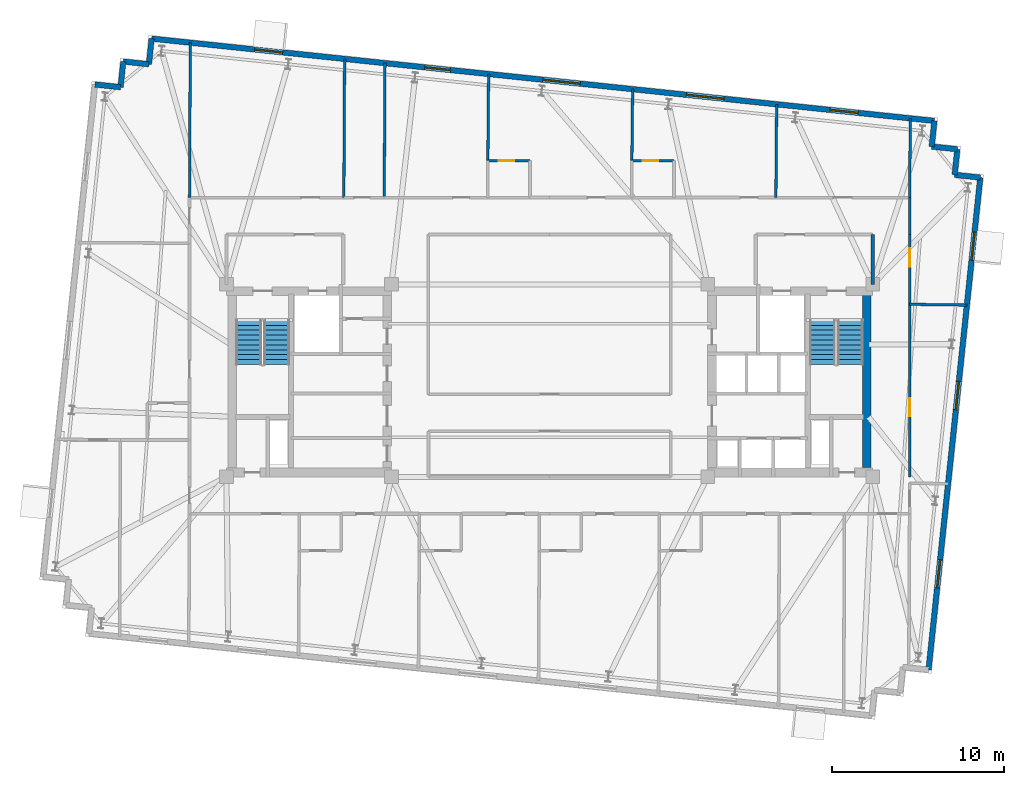
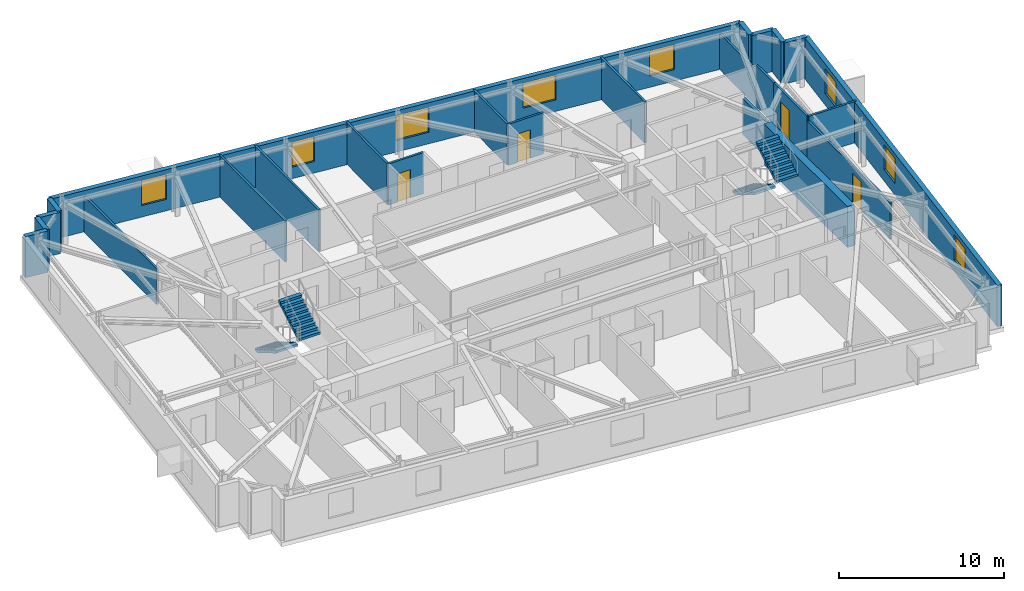
# One storey, part 9 of 11: 25 walls, 8 windows, 4 doors, 4 stair flights, 12 openings, 2 elements without a shape of their own.
"""IFC4 building model written with IfcOpenShell, lengths in metres."""

from ifc_helpers import new_model, si_unit, direction, frame, frame_2d, origin, place, context, subcontext, project, spatial, polyline, rectangle, outline, extrude, material, layer, layer_set, type_object, element, fill, aggregate, save


model = new_model("IFC4")

# Units and contexts
model_context = context("Model", 3, precision=1e-05, world=origin(), true_north=direction((0.0, 1.0)))
body_context = subcontext(model_context, "Body", "Model", "MODEL_VIEW")
ifc_project = project(units=[si_unit("LENGTHUNIT", "METRE"), si_unit("AREAUNIT", "SQUARE_METRE"), si_unit("VOLUMEUNIT", "CUBIC_METRE"), si_unit("PLANEANGLEUNIT", "RADIAN"), si_unit("MASSUNIT", "GRAM", prefix="KILO")], contexts=[model_context])

# Site, building, storey
site_placement = place(None, origin())
site = spatial("IfcSite", under=ifc_project, at=site_placement, CompositionType="ELEMENT")
building_placement = place(site_placement, origin())
building = spatial("IfcBuilding", under=site, at=building_placement, Name="Qobustan Lattice House", CompositionType="ELEMENT")
storey_placement = place(building_placement, frame((0.0, 0.0, 206.449951171875)))
storey = spatial("IfcBuildingStorey", under=building, at=storey_placement, Name="L58", CompositionType="ELEMENT", Elevation=206.449951171875)

# Walls
ifc_material_1 = material(Name="Concrete C50/60", Category="concrete")
ifc_layer_1 = layer(ifc_material_1, 0.5)
ifc_layer_set_1 = layer_set([ifc_layer_1], Name="Concrete C50/60")
wall_type_1 = type_object("IfcWallType", Name="WAL-CORE-500", PredefinedType="SHEAR", material=ifc_layer_set_1)
wall_1_placement = place(storey_placement, frame((18.4599609375, -5.050048828125, 0.0), z_axis=(0.0, 0.0, 1.0), x_axis=(0.0, 1.0, 0.0)))
element("IfcWall", 1, at=wall_1_placement, inside=storey, type_object=wall_type_1, Name="L58 split-core shear wall CE-E", PredefinedType="SHEAR", context=body_context, shape_type="SweptSolid", body=[
    extrude(rectangle(XDim=10.10009765625, YDim=0.5, at=frame_2d((5.050048828125, 0.0))), origin(), (0.0, 0.0, 1.0), 3.0400390625),
])
ifc_material_2 = material(Name="Precast concrete C40/50", Category="concrete")
ifc_layer_2 = layer(ifc_material_2, 0.320068359375)
ifc_layer_set_2 = layer_set([ifc_layer_2], Name="Precast concrete C40/50")
wall_type_2 = type_object("IfcWallType", Name="WAL-EXT-STONE-320", PredefinedType="SOLIDWALL", material=ifc_layer_set_2)
wall_2_placement = place(storey_placement, frame((-26.452880859375, 17.228515625, 0.0), z_axis=(0.0, 0.0, 1.0), x_axis=(0.994508128223, -0.104659366031, 0.0)))
element("IfcWall", 2, at=wall_2_placement, inside=storey, type_object=wall_type_2, Name="L58 exterior limestone-clad wall 6", PredefinedType="SOLIDWALL", context=body_context, shape_type="SweptSolid", body=[
    extrude(rectangle(XDim=1.5, YDim=0.320068359375, at=frame_2d((0.75, 0.0))), origin(), (0.0, 0.0, 1.0), 3.0400390625),
])
wall_3_placement = place(storey_placement, frame((-24.961181640625, 17.071533203125, 0.0), z_axis=(0.0, 0.0, 1.0), x_axis=(0.104642427191, 0.994509910675, 0.0)))
element("IfcWall", 3, at=wall_3_placement, inside=storey, type_object=wall_type_2, Name="L58 exterior limestone-clad wall 7", PredefinedType="SOLIDWALL", context=body_context, shape_type="SweptSolid", body=[
    extrude(rectangle(XDim=1.500244140625, YDim=0.320068359375, at=frame_2d((0.75, 0.0))), origin(), (0.0, 0.0, 1.0), 3.0400390625),
])
wall_4_placement = place(storey_placement, frame((-24.80419921875, 18.5634765625, 0.0), z_axis=(0.0, 0.0, 1.0), x_axis=(0.994508128223, -0.104659366031, 0.0)))
element("IfcWall", 4, at=wall_4_placement, inside=storey, type_object=wall_type_2, Name="L58 exterior limestone-clad wall 8", PredefinedType="SOLIDWALL", context=body_context, shape_type="SweptSolid", body=[
    extrude(rectangle(XDim=1.5, YDim=0.320068359375, at=frame_2d((0.75, 0.0))), origin(), (0.0, 0.0, 1.0), 3.0400390625),
])
wall_5_placement = place(storey_placement, frame((-23.3125, 18.406494140625, 0.0), z_axis=(0.0, 0.0, 1.0), x_axis=(0.104481464157, 0.994526834051, 0.0)))
element("IfcWall", 5, at=wall_5_placement, inside=storey, type_object=wall_type_2, Name="L58 exterior limestone-clad wall 9", PredefinedType="SOLIDWALL", context=body_context, shape_type="SweptSolid", body=[
    extrude(rectangle(XDim=1.500244140625, YDim=0.320068359375, at=frame_2d((0.75, 0.0))), origin(), (0.0, 0.0, 1.0), 3.0400390625),
])

# Wall, openings, windows
wall_6_placement = place(storey_placement, frame((-23.15576171875, 19.8984375, 0.0), z_axis=(0.0, 0.0, 1.0), x_axis=(0.994522001802, -0.104527450613, 0.0)))
wall_6 = element("IfcWall", 6, at=wall_6_placement, inside=storey, type_object=wall_type_2, Name="L58 exterior limestone-clad wall 10", PredefinedType="SOLIDWALL", context=body_context, shape_type="SweptSolid", body=[
    extrude(rectangle(XDim=45.800048828125, YDim=0.320068359375, at=frame_2d((22.89990234375, 0.0))), origin(), (0.0, 0.0, 1.0), 3.0400390625),
])
opening_1_placement = place(wall_6_placement, frame((6.02099609375, 0.0, 0.85009765625)))
opening_1 = element("IfcOpeningElement", 7, at=opening_1_placement, cuts=wall_6, Name="Opening WN-09", PredefinedType="OPENING", context=body_context, shape_type="SweptSolid", body=[
    extrude(rectangle(XDim=1.64990234375, YDim=1.85009765625, at=frame_2d((0.824951171875, 0.925048828125))), frame((0.0, 0.169921875, 0.0), z_axis=(0.0, -1.0, 0.0), x_axis=(1.0, 0.0, 0.0)), (0.0, 0.0, 1.0), 0.340087890625),
])
opening_2_placement = place(wall_6_placement, frame((15.984619140625, 0.0, 0.85009765625)))
opening_2 = element("IfcOpeningElement", 8, at=opening_2_placement, cuts=wall_6, Name="Opening WN-01", PredefinedType="OPENING", context=body_context, shape_type="SweptSolid", body=[
    extrude(rectangle(XDim=1.5, YDim=1.85009765625, at=frame_2d((0.75, 0.925048828125))), frame((0.0, 0.169921875, 0.0), z_axis=(0.0, -1.0, 0.0), x_axis=(1.0, 0.0, 0.0)), (0.0, 0.0, 1.0), 0.340087890625),
])
opening_3_placement = place(wall_6_placement, frame((22.881103515625, 0.0, 0.85009765625)))
opening_3 = element("IfcOpeningElement", 9, at=opening_3_placement, cuts=wall_6, Name="Opening WN-03", PredefinedType="OPENING", context=body_context, shape_type="SweptSolid", body=[
    extrude(rectangle(XDim=2.199951171875, YDim=1.85009765625, at=frame_2d((1.10009765625, 0.925048828125))), frame((0.0, 0.169921875, 0.0), z_axis=(0.0, -1.0, 0.0), x_axis=(1.0, 0.0, 0.0)), (0.0, 0.0, 1.0), 0.340087890625),
])
opening_4_placement = place(wall_6_placement, frame((31.288330078125, 0.0, 0.85009765625)))
opening_4 = element("IfcOpeningElement", 10, at=opening_4_placement, cuts=wall_6, Name="Opening WN-03", PredefinedType="OPENING", context=body_context, shape_type="SweptSolid", body=[
    extrude(rectangle(XDim=2.199951171875, YDim=1.85009765625, at=frame_2d((1.10009765625, 0.925048828125))), frame((0.0, 0.169921875, 0.0), z_axis=(0.0, -1.0, 0.0), x_axis=(1.0, 0.0, 0.0)), (0.0, 0.0, 1.0), 0.340087890625),
])
opening_5_placement = place(wall_6_placement, frame((39.6904296875, 0.0, 0.85009765625)))
opening_5 = element("IfcOpeningElement", 11, at=opening_5_placement, cuts=wall_6, Name="Opening WN-09", PredefinedType="OPENING", context=body_context, shape_type="SweptSolid", body=[
    extrude(rectangle(XDim=1.64990234375, YDim=1.85009765625, at=frame_2d((0.824951171875, 0.925048828125))), frame((0.0, 0.169921875, 0.0), z_axis=(0.0, -1.0, 0.0), x_axis=(1.0, 0.0, 0.0)), (0.0, 0.0, 1.0), 0.340087890625),
])
ifc_material_3 = material(Name="Double-glazed low-E aluminium window", Category="aluminium")
window_type_1 = type_object("IfcWindowType", Name="WIN-BED-1500x1850", PartitioningType="SINGLE_PANEL", PredefinedType="WINDOW", material=ifc_material_3)
window_1_placement = place(opening_2_placement, origin())
window_1 = element("IfcWindow", 12, at=window_1_placement, inside=storey, type_object=window_type_1, Name="L58 Laundry utility room window", OverallHeight=1.85009765625, OverallWidth=1.5, PartitioningType="SINGLE_PANEL", PredefinedType="WINDOW", context=body_context, shape_type="SweptSolid", body=[
    extrude(rectangle(XDim=1.5, YDim=1.85009765625, at=frame_2d((0.75, 0.925048828125))), frame((0.0, 0.030029296875, 0.0), z_axis=(0.0, -1.0, 0.0), x_axis=(1.0, 0.0, 0.0)), (0.0, 0.0, 1.0), 0.06005859375),
])
fill(opening_2, window_1)
ifc_material_4 = material(Name="Double-glazed low-E aluminium window", Category="aluminium")
window_type_2 = type_object("IfcWindowType", Name="WIN-STU-1650x1850", PartitioningType="SINGLE_PANEL", PredefinedType="WINDOW", material=ifc_material_4)
window_2_placement = place(opening_1_placement, origin())
window_2 = element("IfcWindow", 13, at=window_2_placement, inside=storey, type_object=window_type_2, Name="L58 Focus study room N1 window", OverallHeight=1.85009765625, OverallWidth=1.64990234375, PartitioningType="SINGLE_PANEL", PredefinedType="WINDOW", context=body_context, shape_type="SweptSolid", body=[
    extrude(rectangle(XDim=1.64990234375, YDim=1.85009765625, at=frame_2d((0.824951171875, 0.925048828125))), frame((0.0, 0.030029296875, 0.0), z_axis=(0.0, -1.0, 0.0), x_axis=(1.0, 0.0, 0.0)), (0.0, 0.0, 1.0), 0.06005859375),
])
fill(opening_1, window_2)
window_3_placement = place(opening_5_placement, origin())
window_3 = element("IfcWindow", 14, at=window_3_placement, inside=storey, type_object=window_type_2, Name="L58 Focus study room N5 window", OverallHeight=1.85009765625, OverallWidth=1.64990234375, PartitioningType="SINGLE_PANEL", PredefinedType="WINDOW", context=body_context, shape_type="SweptSolid", body=[
    extrude(rectangle(XDim=1.64990234375, YDim=1.85009765625, at=frame_2d((0.824951171875, 0.925048828125))), frame((0.0, 0.030029296875, 0.0), z_axis=(0.0, -1.0, 0.0), x_axis=(1.0, 0.0, 0.0)), (0.0, 0.0, 1.0), 0.06005859375),
])
fill(opening_5, window_3)
ifc_material_5 = material(Name="Double-glazed low-E aluminium window", Category="aluminium")
window_type_3 = type_object("IfcWindowType", Name="WIN-WIDE-2200x1850", PartitioningType="SINGLE_PANEL", PredefinedType="WINDOW", material=ifc_material_5)
window_4_placement = place(opening_3_placement, origin())
window_4 = element("IfcWindow", 15, at=window_4_placement, inside=storey, type_object=window_type_3, Name="L58 Kitchenette and studio apartment L58-N3 window", OverallHeight=1.85009765625, OverallWidth=2.199951171875, PartitioningType="SINGLE_PANEL", PredefinedType="WINDOW", context=body_context, shape_type="SweptSolid", body=[
    extrude(rectangle(XDim=2.199951171875, YDim=1.85009765625, at=frame_2d((1.10009765625, 0.925048828125))), frame((0.0, 0.030029296875, 0.0), z_axis=(0.0, -1.0, 0.0), x_axis=(1.0, 0.0, 0.0)), (0.0, 0.0, 1.0), 0.06005859375),
])
fill(opening_3, window_4)
window_5_placement = place(opening_4_placement, origin())
window_5 = element("IfcWindow", 16, at=window_5_placement, inside=storey, type_object=window_type_3, Name="L58 Kitchenette and studio apartment L58-N4 window", OverallHeight=1.85009765625, OverallWidth=2.199951171875, PartitioningType="SINGLE_PANEL", PredefinedType="WINDOW", context=body_context, shape_type="SweptSolid", body=[
    extrude(rectangle(XDim=2.199951171875, YDim=1.85009765625, at=frame_2d((1.10009765625, 0.925048828125))), frame((0.0, 0.030029296875, 0.0), z_axis=(0.0, -1.0, 0.0), x_axis=(1.0, 0.0, 0.0)), (0.0, 0.0, 1.0), 0.06005859375),
])
fill(opening_4, window_5)

# Walls
wall_7_placement = place(storey_placement, frame((22.393310546875, 15.111083984375, 0.0), z_axis=(0.0, 0.0, 1.0), x_axis=(-0.104481464157, -0.994526834051, 0.0)))
element("IfcWall", 17, at=wall_7_placement, inside=storey, type_object=wall_type_2, Name="L58 exterior limestone-clad wall 11", PredefinedType="SOLIDWALL", context=body_context, shape_type="SweptSolid", body=[
    extrude(rectangle(XDim=1.500244140625, YDim=0.320068359375, at=frame_2d((0.75, 0.0))), origin(), (0.0, 0.0, 1.0), 3.0400390625),
])
for number, where, z_axis, x_axis, name in (
    (18, (22.236572265625, 13.619140625, 0.0), (0.0, 0.0, 1.0), (0.994525057048, -0.104498377516, 0.0), "L58 exterior limestone-clad wall 12"),
    (19, (23.728271484375, 13.46240234375, 0.0), (0.0, 0.0, 1.0), (-0.104498377516, -0.994525057048, 0.0), "L58 exterior limestone-clad wall 13"),
    (20, (23.571533203125, 11.970703125, 0.0), (0.0, 0.0, 1.0), (0.994508128223, -0.104659366031, 0.0), "L58 exterior limestone-clad wall 14"),
):
    element("IfcWall", number, at=place(storey_placement, frame(where, z_axis=z_axis, x_axis=x_axis)), inside=storey, type_object=wall_type_2, Name=name, PredefinedType="SOLIDWALL", context=body_context, shape_type="SweptSolid", body=[
        extrude(rectangle(XDim=1.5, YDim=0.320068359375, at=frame_2d((0.75, 0.0))), origin(), (0.0, 0.0, 1.0), 3.0400390625),
    ])

# Wall, openings, windows
wall_8_placement = place(storey_placement, frame((25.063232421875, 11.813720703125, 0.0), z_axis=(0.0, 0.0, 1.0), x_axis=(-0.104523275986, -0.99452244056, 0.0)))
wall_8 = element("IfcWall", 21, at=wall_8_placement, inside=storey, type_object=wall_type_2, Name="L58 exterior limestone-clad wall 15", PredefinedType="SOLIDWALL", context=body_context, shape_type="SweptSolid", body=[
    extrude(rectangle(XDim=28.7998046875, YDim=0.320068359375, at=frame_2d((14.39990234375, 0.0))), origin(), (0.0, 0.0, 1.0), 3.0400390625),
])
opening_6_placement = place(wall_8_placement, frame((3.18603515625, 0.0, 0.85009765625)))
opening_6 = element("IfcOpeningElement", 22, at=opening_6_placement, cuts=wall_8, Name="Opening WN-09", PredefinedType="OPENING", context=body_context, shape_type="SweptSolid", body=[
    extrude(rectangle(XDim=1.64990234375, YDim=1.85009765625, at=frame_2d((0.824951171875, 0.925048828125))), frame((0.0, 0.169921875, 0.0), z_axis=(0.0, -1.0, 0.0), x_axis=(1.0, 0.0, 0.0)), (0.0, 0.0, 1.0), 0.340087890625),
])
opening_7_placement = place(wall_8_placement, frame((11.930419921875, 0.0, 0.85009765625)))
opening_7 = element("IfcOpeningElement", 23, at=opening_7_placement, cuts=wall_8, Name="Opening WN-09", PredefinedType="OPENING", context=body_context, shape_type="SweptSolid", body=[
    extrude(rectangle(XDim=1.64990234375, YDim=1.85009765625, at=frame_2d((0.824951171875, 0.925048828125))), frame((0.0, 0.169921875, 0.0), z_axis=(0.0, -1.0, 0.0), x_axis=(1.0, 0.0, 0.0)), (0.0, 0.0, 1.0), 0.340087890625),
])
opening_8_placement = place(wall_8_placement, frame((22.359375, 0.0, 0.85009765625)))
opening_8 = element("IfcOpeningElement", 24, at=opening_8_placement, cuts=wall_8, Name="Opening WN-09", PredefinedType="OPENING", context=body_context, shape_type="SweptSolid", body=[
    extrude(rectangle(XDim=1.64990234375, YDim=1.85009765625, at=frame_2d((0.824951171875, 0.925048828125))), frame((0.0, 0.169921875, 0.0), z_axis=(0.0, -1.0, 0.0), x_axis=(1.0, 0.0, 0.0)), (0.0, 0.0, 1.0), 0.340087890625),
])
window_6_placement = place(opening_6_placement, origin())
window_6 = element("IfcWindow", 25, at=window_6_placement, inside=storey, type_object=window_type_2, Name="L58 Focus study room E3 window", OverallHeight=1.85009765625, OverallWidth=1.64990234375, PartitioningType="SINGLE_PANEL", PredefinedType="WINDOW", context=body_context, shape_type="SweptSolid", body=[
    extrude(rectangle(XDim=1.64990234375, YDim=1.85009765625, at=frame_2d((0.824951171875, 0.925048828125))), frame((0.0, 0.030029296875, 0.0), z_axis=(0.0, -1.0, 0.0), x_axis=(1.0, 0.0, 0.0)), (0.0, 0.0, 1.0), 0.06005859375),
])
fill(opening_6, window_6)
window_7_placement = place(opening_7_placement, origin())
window_7 = element("IfcWindow", 26, at=window_7_placement, inside=storey, type_object=window_type_2, Name="L58 Focus study room E2 window", OverallHeight=1.85009765625, OverallWidth=1.64990234375, PartitioningType="SINGLE_PANEL", PredefinedType="WINDOW", context=body_context, shape_type="SweptSolid", body=[
    extrude(rectangle(XDim=1.64990234375, YDim=1.85009765625, at=frame_2d((0.824951171875, 0.925048828125))), frame((0.0, 0.030029296875, 0.0), z_axis=(0.0, -1.0, 0.0), x_axis=(1.0, 0.0, 0.0)), (0.0, 0.0, 1.0), 0.06005859375),
])
fill(opening_7, window_7)
window_8_placement = place(opening_8_placement, origin())
window_8 = element("IfcWindow", 27, at=window_8_placement, inside=storey, type_object=window_type_2, Name="L58 Focus study room E1 window", OverallHeight=1.85009765625, OverallWidth=1.64990234375, PartitioningType="SINGLE_PANEL", PredefinedType="WINDOW", context=body_context, shape_type="SweptSolid", body=[
    extrude(rectangle(XDim=1.64990234375, YDim=1.85009765625, at=frame_2d((0.824951171875, 0.925048828125))), frame((0.0, 0.030029296875, 0.0), z_axis=(0.0, -1.0, 0.0), x_axis=(1.0, 0.0, 0.0)), (0.0, 0.0, 1.0), 0.06005859375),
])
fill(opening_8, window_8)

# Wall
ifc_material_6 = material(Name="Acoustic twin-stud gypsum partition", Category="gypsum")
ifc_layer_3 = layer(ifc_material_6, 0.14990234375)
ifc_layer_set_3 = layer_set([ifc_layer_3], Name="Acoustic twin-stud gypsum partition")
wall_type_3 = type_object("IfcWallType", Name="WAL-PART-150", PredefinedType="PARTITIONING", material=ifc_layer_set_3)
wall_9_placement = place(storey_placement, frame((20.949951171875, 10.64990234375, 0.0), z_axis=(0.0, 0.0, 1.0), x_axis=(0.0, -1.0, 0.0)))
element("IfcWall", 28, at=wall_9_placement, inside=storey, type_object=wall_type_3, Name="L58 interior partition 39", PredefinedType="PARTITIONING", context=body_context, shape_type="SweptSolid", body=[
    extrude(rectangle(XDim=2.14990234375, YDim=0.14990234375, at=frame_2d((1.074951171875, 0.0))), origin(), (0.0, 0.0, 1.0), 3.0400390625),
])

# Wall, opening, door
wall_10_placement = place(storey_placement, frame((20.949951171875, 4.43798828125, 0.0), z_axis=(0.0, 0.0, 1.0), x_axis=(0.0, -1.0, 0.0)))
wall_10 = element("IfcWall", 29, at=wall_10_placement, inside=storey, type_object=wall_type_3, Name="L58 interior partition 65", PredefinedType="PARTITIONING", context=body_context, shape_type="SweptSolid", body=[
    extrude(rectangle(XDim=10.0380859375, YDim=0.14990234375, at=frame_2d((5.01904296875, 0.0))), origin(), (0.0, 0.0, 1.0), 2.695068359375),
])
opening_9_placement = place(wall_10_placement, frame((5.472412109375, 0.0, 0.0)))
opening_9 = element("IfcOpeningElement", 30, at=opening_9_placement, cuts=wall_10, Name="Opening ID-02", PredefinedType="OPENING", context=body_context, shape_type="SweptSolid", body=[
    extrude(rectangle(XDim=1.050048828125, YDim=2.14990234375, at=frame_2d((0.52490234375, 1.074951171875))), frame((0.0, 0.0849609375, 0.0), z_axis=(0.0, -1.0, 0.0), x_axis=(1.0, 0.0, 0.0)), (0.0, 0.0, 1.0), 0.169921875),
])
ifc_material_7 = material(Name="Persian walnut timber and steel frame door", Category="steel")
door_type_1 = type_object("IfcDoorType", Name="DOR-STUDY-1050x2150", OperationType="NOTDEFINED", PredefinedType="DOOR", material=ifc_material_7)
door_1_placement = place(opening_9_placement, origin())
door_1 = element("IfcDoor", 31, at=door_1_placement, inside=storey, type_object=door_type_1, Name="L58 East wing spine gallery to Focus study room E2 door", OperationType="SINGLE_SWING_RIGHT", OverallHeight=2.14990234375, OverallWidth=1.050048828125, PredefinedType="DOOR", context=body_context, shape_type="SweptSolid", body=[
    extrude(rectangle(XDim=1.050048828125, YDim=2.14990234375, at=frame_2d((0.52490234375, 1.074951171875))), frame((0.0, 0.02490234375, 0.0), z_axis=(0.0, -1.0, 0.0), x_axis=(1.0, 0.0, 0.0)), (0.0, 0.0, 1.0), 0.050048828125),
])
fill(opening_9, door_1)

wall_11_placement = place(storey_placement, frame((20.949951171875, 8.5, 0.0), z_axis=(0.0, 0.0, 1.0), x_axis=(0.0, -1.0, 0.0)))
wall_11 = element("IfcWall", 32, at=wall_11_placement, inside=storey, type_object=wall_type_3, Name="L58 interior partition 66", PredefinedType="PARTITIONING", context=body_context, shape_type="SweptSolid", body=[
    extrude(rectangle(XDim=4.06201171875, YDim=0.14990234375, at=frame_2d((2.031005859375, 0.0))), origin(), (0.0, 0.0, 1.0), 3.0400390625),
])
opening_10_placement = place(wall_11_placement, frame((0.8115234375, 0.0, 0.0)))
opening_10 = element("IfcOpeningElement", 33, at=opening_10_placement, cuts=wall_11, Name="Opening ID-02", PredefinedType="OPENING", context=body_context, shape_type="SweptSolid", body=[
    extrude(rectangle(XDim=1.050048828125, YDim=2.14990234375, at=frame_2d((0.52490234375, 1.074951171875))), frame((0.0, 0.0849609375, 0.0), z_axis=(0.0, -1.0, 0.0), x_axis=(1.0, 0.0, 0.0)), (0.0, 0.0, 1.0), 0.169921875),
])
door_2_placement = place(opening_10_placement, origin())
door_2 = element("IfcDoor", 34, at=door_2_placement, inside=storey, type_object=door_type_1, Name="L58 East wing spine gallery to Focus study room E3 door", OperationType="SINGLE_SWING_LEFT", OverallHeight=2.14990234375, OverallWidth=1.050048828125, PredefinedType="DOOR", context=body_context, shape_type="SweptSolid", body=[
    extrude(rectangle(XDim=1.050048828125, YDim=2.14990234375, at=frame_2d((0.52490234375, 1.074951171875))), frame((0.0, 0.02490234375, 0.0), z_axis=(0.0, -1.0, 0.0), x_axis=(1.0, 0.0, 0.0)), (0.0, 0.0, 1.0), 0.050048828125),
])
fill(opening_10, door_2)

# Walls
wall_12_placement = place(storey_placement, frame((-20.906005859375, 19.661865234375, 0.0), z_axis=(0.0, 0.0, 1.0), x_axis=(-0.004876272857, -0.999988110911, 0.0)))
element("IfcWall", 35, at=wall_12_placement, inside=storey, type_object=wall_type_3, Name="L58 interior partition 81", PredefinedType="PARTITIONING", context=body_context, shape_type="SweptSolid", body=[
    extrude(rectangle(XDim=9.011962890625, YDim=0.14990234375, at=frame_2d((4.505859375, 0.0))), origin(), (0.0, 0.0, 1.0), 2.6650390625),
])
wall_13_placement = place(storey_placement, frame((20.949951171875, 4.43798828125, 0.0), z_axis=(0.0, 0.0, 1.0), x_axis=(0.999913116238, -0.013181804667, 0.0)))
element("IfcWall", 36, at=wall_13_placement, inside=storey, type_object=wall_type_3, Name="L58 interior partition 84", PredefinedType="PARTITIONING", context=body_context, shape_type="SweptSolid", body=[
    extrude(rectangle(XDim=3.333740234375, YDim=0.14990234375, at=frame_2d((1.6669921875, 0.0))), origin(), (0.0, 0.0, 1.0), 3.0400390625),
])
wall_14_placement = place(storey_placement, frame((20.949951171875, 10.64990234375, 0.0), z_axis=(0.0, 0.0, 1.0), x_axis=(0.009535990233, 0.999954531411, 0.0)))
element("IfcWall", 37, at=wall_14_placement, inside=storey, type_object=wall_type_3, Name="L58 interior partition 85", PredefinedType="PARTITIONING", context=body_context, shape_type="SweptSolid", body=[
    extrude(rectangle(XDim=4.6083984375, YDim=0.14990234375, at=frame_2d((2.30419921875, 0.0))), origin(), (0.0, 0.0, 1.0), 2.6650390625),
])
wall_15_placement = place(storey_placement, frame((-3.546142578125, 17.83740234375, 0.0), z_axis=(0.0, 0.0, 1.0), x_axis=(-0.008723556964, -0.999961949053, 0.0)))
element("IfcWall", 38, at=wall_15_placement, inside=storey, type_object=wall_type_3, Name="L58 interior partition 88", PredefinedType="PARTITIONING", context=body_context, shape_type="SweptSolid", body=[
    extrude(rectangle(XDim=5.03759765625, YDim=0.14990234375, at=frame_2d((2.518798828125, 0.0))), origin(), (0.0, 0.0, 1.0), 3.0400390625),
])
wall_16_placement = place(storey_placement, frame((4.833984375, 16.95654296875, 0.0), z_axis=(0.0, 0.0, 1.0), x_axis=(-0.010572096358, -0.999944113828, 0.0)))
element("IfcWall", 39, at=wall_16_placement, inside=storey, type_object=wall_type_3, Name="L58 interior partition 92", PredefinedType="PARTITIONING", context=body_context, shape_type="SweptSolid", body=[
    extrude(rectangle(XDim=4.15673828125, YDim=0.14990234375, at=frame_2d((2.078369140625, 0.0))), origin(), (0.0, 0.0, 1.0), 3.0400390625),
])
wall_17_placement = place(storey_placement, frame((13.2138671875, 16.07568359375, 0.0), z_axis=(0.0, 0.0, 1.0), x_axis=(-0.008099086408, -0.999967201862, 0.0)))
element("IfcWall", 40, at=wall_17_placement, inside=storey, type_object=wall_type_3, Name="L58 interior partition 96", PredefinedType="PARTITIONING", context=body_context, shape_type="SweptSolid", body=[
    extrude(rectangle(XDim=5.426025390625, YDim=0.14990234375, at=frame_2d((2.712890625, 0.0))), origin(), (0.0, 0.0, 1.0), 3.0400390625),
])
ifc_material_8 = material(Name="Two-hour gypsum fireboard acoustic partition", Category="gypsum")
ifc_layer_4 = layer(ifc_material_8, 0.199951171875)
ifc_layer_set_4 = layer_set([ifc_layer_4], Name="Two-hour gypsum fireboard acoustic partition")
wall_type_4 = type_object("IfcWallType", Name="WAL-PROT-200", PredefinedType="PARTITIONING", material=ifc_layer_set_4)
wall_18_placement = place(storey_placement, frame((18.800048828125, 5.60009765625, 0.0), z_axis=(0.0, 0.0, 1.0), x_axis=(0.0, 1.0, 0.0)))
element("IfcWall", 41, at=wall_18_placement, inside=storey, type_object=wall_type_4, Name="L58 interior partition 18", PredefinedType="PARTITIONING", context=body_context, shape_type="SweptSolid", body=[
    extrude(rectangle(XDim=2.89990234375, YDim=0.199951171875, at=frame_2d((1.449951171875, 0.0))), origin(), (0.0, 0.0, 1.0), 2.6650390625),
])
ifc_material_9 = material(Name="Moisture-resistant acoustic plumbing wall", Category="gypsum")
ifc_layer_5 = layer(ifc_material_9, 0.14990234375)
ifc_layer_set_5 = layer_set([ifc_layer_5], Name="Moisture-resistant acoustic plumbing wall")
wall_type_5 = type_object("IfcWallType", Name="WAL-WET-150", PredefinedType="PLUMBINGWALL", material=ifc_layer_set_5)
wall_19_placement = place(storey_placement, frame((-11.926025390625, 18.718017578125, 0.0), z_axis=(0.0, 0.0, 1.0), x_axis=(-0.005446707114, -0.999985166581, 0.0)))
element("IfcWall", 42, at=wall_19_placement, inside=storey, type_object=wall_type_5, Name="L58 interior partition 86", PredefinedType="PLUMBINGWALL", context=body_context, shape_type="SweptSolid", body=[
    extrude(rectangle(XDim=8.068115234375, YDim=0.14990234375, at=frame_2d((4.0341796875, 0.0))), origin(), (0.0, 0.0, 1.0), 3.0400390625),
])
wall_20_placement = place(storey_placement, frame((-9.576171875, 18.47119140625, 0.0), z_axis=(0.0, 0.0, 1.0), x_axis=(-0.005618590299, -0.999984215597, 0.0)))
element("IfcWall", 43, at=wall_20_placement, inside=storey, type_object=wall_type_5, Name="L58 interior partition 87", PredefinedType="PLUMBINGWALL", context=body_context, shape_type="SweptSolid", body=[
    extrude(rectangle(XDim=7.821533203125, YDim=0.14990234375, at=frame_2d((3.91064453125, 0.0))), origin(), (0.0, 0.0, 1.0), 3.0400390625),
])

# Wall, opening, door
wall_21_placement = place(storey_placement, frame((-1.139892578125, 12.800048828125, 0.0), z_axis=(0.0, 0.0, 1.0), x_axis=(-1.0, 0.0, 0.0)))
wall_21 = element("IfcWall", 44, at=wall_21_placement, inside=storey, type_object=wall_type_5, Name="L58 interior partition 90", PredefinedType="PLUMBINGWALL", context=body_context, shape_type="SweptSolid", body=[
    extrude(rectangle(XDim=2.4501953125, YDim=0.14990234375, at=frame_2d((1.22509765625, 0.0))), origin(), (0.0, 0.0, 1.0), 3.0400390625),
])
opening_11_placement = place(wall_21_placement, frame((0.92138671875, 0.0, 0.0)))
opening_11 = element("IfcOpeningElement", 45, at=opening_11_placement, cuts=wall_21, Name="Opening WD-01", PredefinedType="OPENING", context=body_context, shape_type="SweptSolid", body=[
    extrude(rectangle(XDim=0.89990234375, YDim=2.10009765625, at=frame_2d((0.449951171875, 1.050048828125))), frame((0.0, 0.0849609375, 0.0), z_axis=(0.0, -1.0, 0.0), x_axis=(1.0, 0.0, 0.0)), (0.0, 0.0, 1.0), 0.169921875),
])
ifc_material_10 = material(Name="Persian walnut timber and steel frame door", Category="steel")
door_type_2 = type_object("IfcDoorType", Name="DOR-WET-900x2100", OperationType="NOTDEFINED", PredefinedType="DOOR", material=ifc_material_10)
door_3_placement = place(opening_11_placement, origin())
door_3 = element("IfcDoor", 46, at=door_3_placement, inside=storey, type_object=door_type_2, Name="L58 Kitchenette and studio apartment L58-N3 to En-suite bathroom L58-N3 door", OperationType="SINGLE_SWING_RIGHT", OverallHeight=2.10009765625, OverallWidth=0.89990234375, PredefinedType="DOOR", context=body_context, shape_type="SweptSolid", body=[
    extrude(rectangle(XDim=0.89990234375, YDim=2.10009765625, at=frame_2d((0.449951171875, 1.050048828125))), frame((0.0, 0.02490234375, 0.0), z_axis=(0.0, -1.0, 0.0), x_axis=(1.0, 0.0, 0.0)), (0.0, 0.0, 1.0), 0.050048828125),
])
fill(opening_11, door_3)

wall_22_placement = place(storey_placement, frame((7.239990234375, 12.800048828125, 0.0), z_axis=(0.0, 0.0, 1.0), x_axis=(-1.0, 0.0, 0.0)))
wall_22 = element("IfcWall", 47, at=wall_22_placement, inside=storey, type_object=wall_type_5, Name="L58 interior partition 94", PredefinedType="PLUMBINGWALL", context=body_context, shape_type="SweptSolid", body=[
    extrude(rectangle(XDim=2.449951171875, YDim=0.14990234375, at=frame_2d((1.22509765625, 0.0))), origin(), (0.0, 0.0, 1.0), 3.0400390625),
])
opening_12_placement = place(wall_22_placement, frame((0.92138671875, 0.0, 0.0)))
opening_12 = element("IfcOpeningElement", 48, at=opening_12_placement, cuts=wall_22, Name="Opening WD-01", PredefinedType="OPENING", context=body_context, shape_type="SweptSolid", body=[
    extrude(rectangle(XDim=0.89990234375, YDim=2.10009765625, at=frame_2d((0.449951171875, 1.050048828125))), frame((0.0, 0.0849609375, 0.0), z_axis=(0.0, -1.0, 0.0), x_axis=(1.0, 0.0, 0.0)), (0.0, 0.0, 1.0), 0.169921875),
])
door_4_placement = place(opening_12_placement, origin())
door_4 = element("IfcDoor", 49, at=door_4_placement, inside=storey, type_object=door_type_2, Name="L58 Kitchenette and studio apartment L58-N4 to En-suite bathroom L58-N4 door", OperationType="SINGLE_SWING_LEFT", OverallHeight=2.10009765625, OverallWidth=0.89990234375, PredefinedType="DOOR", context=body_context, shape_type="SweptSolid", body=[
    extrude(rectangle(XDim=0.89990234375, YDim=2.10009765625, at=frame_2d((0.449951171875, 1.050048828125))), frame((0.0, 0.02490234375, 0.0), z_axis=(0.0, -1.0, 0.0), x_axis=(1.0, 0.0, 0.0)), (0.0, 0.0, 1.0), 0.050048828125),
])
fill(opening_12, door_4)

# Stair, stair flights
ifc_material_11 = material(Name="Concrete C40/50", Category="concrete")
stair_type = type_object("IfcStairType", Name="STR-CORE-DOGLEG", PredefinedType="HALF_TURN_STAIR", material=ifc_material_11)
stair_1_placement = place(storey_placement, origin())
stair_1 = element("IfcStair", 50, at=stair_1_placement, inside=storey, type_object=stair_type, Name="L58 West protected exit stair ST-W1", PredefinedType="HALF_TURN_STAIR")
ifc_material_12 = material(Name="Concrete C40/50", Category="concrete")
stair_flight_type = type_object("IfcStairFlightType", Name="SFL-RC-1500", PredefinedType="STRAIGHT", material=ifc_material_12)
stair_flight_1_placement = place(storey_placement, frame((-17.5, 3.5, 0.0), z_axis=(0.0, 0.0, 1.0), x_axis=(0.0, -1.0, 0.0)))
stair_flight_1 = element("IfcStairFlight", 51, at=stair_flight_1_placement, type_object=stair_flight_type, Name="ST-W1 flight 1", NumberOfRisers=10, NumberOfTreads=9, PredefinedType="STRAIGHT", RiserHeight=0.1675, TreadLength=0.285, context=body_context, shape_type="SweptSolid", body=[
    extrude(outline(polyline([(0.0, 0.0), (0.0, 0.16748046875), (0.284912109375, 0.16748046875), (0.284912109375, 0.3349609375), (0.570068359375, 0.3349609375), (0.570068359375, 0.50244140625), (0.85498046875, 0.50244140625), (0.85498046875, 0.669921875), (1.139892578125, 0.669921875), (1.139892578125, 0.83740234375), (1.425048828125, 0.83740234375), (1.425048828125, 1.0048828125), (1.7099609375, 1.0048828125), (1.7099609375, 1.172607421875), (1.9951171875, 1.172607421875), (1.9951171875, 1.340087890625), (2.280029296875, 1.340087890625), (2.280029296875, 1.507568359375), (2.56494140625, 1.507568359375), (2.56494140625, 1.675048828125), (2.56494140625, 1.333740234375), (0.2958984375, 0.0), (0.0, 0.0)])), frame((0.0, 0.75, 0.0), z_axis=(0.0, -1.0, 0.0), x_axis=(1.0, 0.0, 0.0)), (0.0, 0.0, 1.0), 1.5),
])
stair_flight_2_placement = place(storey_placement, frame((-15.8798828125, 0.93505859375, 1.675048828125), z_axis=(0.0, 0.0, 1.0), x_axis=(0.0, 1.0, 0.0)))
stair_flight_2 = element("IfcStairFlight", 52, at=stair_flight_2_placement, type_object=stair_flight_type, Name="ST-W1 flight 2", NumberOfRisers=10, NumberOfTreads=9, PredefinedType="STRAIGHT", RiserHeight=0.1675, TreadLength=0.285, context=body_context, shape_type="SweptSolid", body=[
    extrude(outline(polyline([(0.0, 0.0), (0.0, 0.16748046875), (0.284912109375, 0.16748046875), (0.284912109375, 0.3349609375), (0.570068359375, 0.3349609375), (0.570068359375, 0.50244140625), (0.85498046875, 0.50244140625), (0.85498046875, 0.669921875), (1.139892578125, 0.669921875), (1.139892578125, 0.83740234375), (1.425048828125, 0.83740234375), (1.425048828125, 1.0048828125), (1.7099609375, 1.0048828125), (1.7099609375, 1.172607421875), (1.9951171875, 1.172607421875), (1.9951171875, 1.340087890625), (2.280029296875, 1.340087890625), (2.280029296875, 1.507568359375), (2.56494140625, 1.507568359375), (2.56494140625, 1.675048828125), (2.56494140625, 1.333740234375), (0.2958984375, 0.0), (0.0, 0.0)])), frame((0.0, 0.75, 0.0), z_axis=(0.0, -1.0, 0.0), x_axis=(1.0, 0.0, 0.0)), (0.0, 0.0, 1.0), 1.5),
])
aggregate(stair_1, [stair_flight_1, stair_flight_2])

stair_2_placement = place(storey_placement, origin())
stair_2 = element("IfcStair", 53, at=stair_2_placement, inside=storey, type_object=stair_type, Name="L58 East protected exit stair ST-E1", PredefinedType="HALF_TURN_STAIR")
stair_flight_3_placement = place(storey_placement, frame((15.8798828125, 3.5, 0.0), z_axis=(0.0, 0.0, 1.0), x_axis=(0.0, -1.0, 0.0)))
stair_flight_3 = element("IfcStairFlight", 54, at=stair_flight_3_placement, type_object=stair_flight_type, Name="ST-E1 flight 1", NumberOfRisers=10, NumberOfTreads=9, PredefinedType="STRAIGHT", RiserHeight=0.1675, TreadLength=0.285, context=body_context, shape_type="SweptSolid", body=[
    extrude(outline(polyline([(0.0, 0.0), (0.0, 0.16748046875), (0.284912109375, 0.16748046875), (0.284912109375, 0.3349609375), (0.570068359375, 0.3349609375), (0.570068359375, 0.50244140625), (0.85498046875, 0.50244140625), (0.85498046875, 0.669921875), (1.139892578125, 0.669921875), (1.139892578125, 0.83740234375), (1.425048828125, 0.83740234375), (1.425048828125, 1.0048828125), (1.7099609375, 1.0048828125), (1.7099609375, 1.172607421875), (1.9951171875, 1.172607421875), (1.9951171875, 1.340087890625), (2.280029296875, 1.340087890625), (2.280029296875, 1.507568359375), (2.56494140625, 1.507568359375), (2.56494140625, 1.675048828125), (2.56494140625, 1.333740234375), (0.2958984375, 0.0), (0.0, 0.0)])), frame((0.0, 0.75, 0.0), z_axis=(0.0, -1.0, 0.0), x_axis=(1.0, 0.0, 0.0)), (0.0, 0.0, 1.0), 1.5),
])
stair_flight_4_placement = place(storey_placement, frame((17.5, 0.93505859375, 1.675048828125), z_axis=(0.0, 0.0, 1.0), x_axis=(0.0, 1.0, 0.0)))
stair_flight_4 = element("IfcStairFlight", 55, at=stair_flight_4_placement, type_object=stair_flight_type, Name="ST-E1 flight 2", NumberOfRisers=10, NumberOfTreads=9, PredefinedType="STRAIGHT", RiserHeight=0.1675, TreadLength=0.285, context=body_context, shape_type="SweptSolid", body=[
    extrude(outline(polyline([(0.0, 0.0), (0.0, 0.16748046875), (0.284912109375, 0.16748046875), (0.284912109375, 0.3349609375), (0.570068359375, 0.3349609375), (0.570068359375, 0.50244140625), (0.85498046875, 0.50244140625), (0.85498046875, 0.669921875), (1.139892578125, 0.669921875), (1.139892578125, 0.83740234375), (1.425048828125, 0.83740234375), (1.425048828125, 1.0048828125), (1.7099609375, 1.0048828125), (1.7099609375, 1.172607421875), (1.9951171875, 1.172607421875), (1.9951171875, 1.340087890625), (2.280029296875, 1.340087890625), (2.280029296875, 1.507568359375), (2.56494140625, 1.507568359375), (2.56494140625, 1.675048828125), (2.56494140625, 1.333740234375), (0.2958984375, 0.0), (0.0, 0.0)])), frame((0.0, 0.75, 0.0), z_axis=(0.0, -1.0, 0.0), x_axis=(1.0, 0.0, 0.0)), (0.0, 0.0, 1.0), 1.5),
])
aggregate(stair_2, [stair_flight_3, stair_flight_4])

save(model, "model.ifc")
